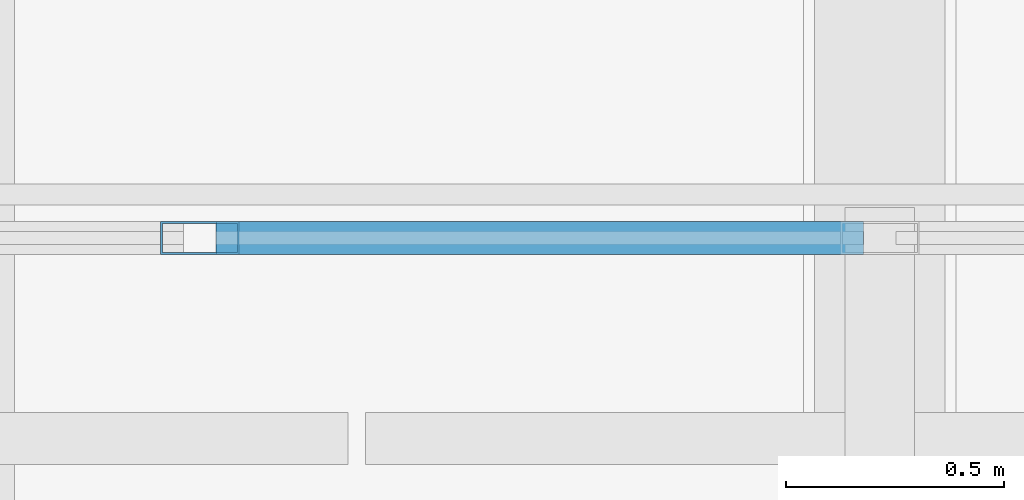
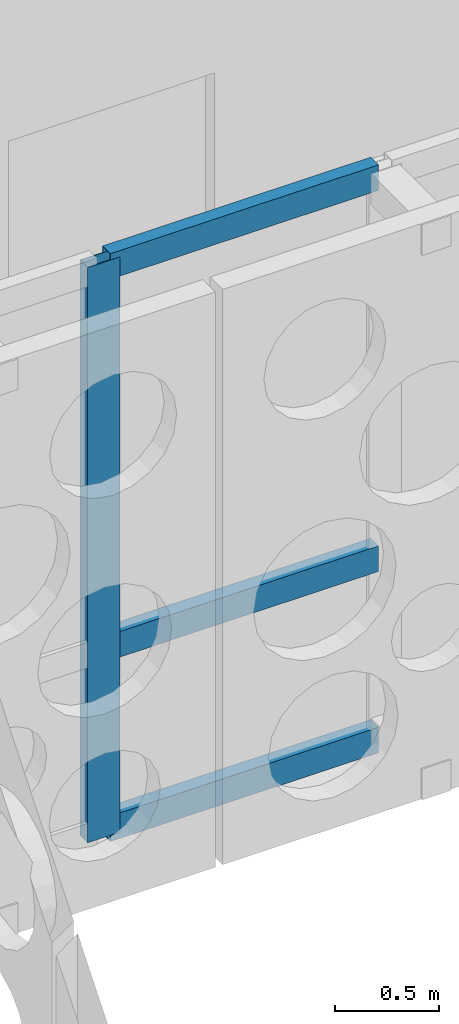
# One storey, part 27 of 171: 4 members, 1 element without a shape of its own.
"""IFC4 building model written with IfcOpenShell, lengths in metres."""

from ifc_helpers import new_model, si_unit, direction, frame, origin, origin_2d, place, context, subcontext, project, spatial, hollow_rectangle, extrude, material, material_profile, profile_set, type_object, element, aggregate, save


model = new_model("IFC4")

# Units and contexts
model_context = context("Model", 3, precision=1e-05, world=origin(), true_north=direction((0.0, 1.0)))
body_context = subcontext(model_context, "Body", "Model", "MODEL_VIEW")
ifc_project = project(units=[si_unit("LENGTHUNIT", "METRE"), si_unit("AREAUNIT", "SQUARE_METRE"), si_unit("VOLUMEUNIT", "CUBIC_METRE"), si_unit("PLANEANGLEUNIT", "RADIAN"), si_unit("MASSUNIT", "GRAM", prefix="KILO")], contexts=[model_context])

# Site, building, storey
site_placement = place(None, origin())
site = spatial("IfcSite", under=ifc_project, at=site_placement, CompositionType="ELEMENT")
building_placement = place(site_placement, origin())
building = spatial("IfcBuilding", under=site, at=building_placement, Name="Aldebral Square Health Centre", CompositionType="ELEMENT")
storey_placement = place(building_placement, frame((0.0, 0.0, 4.5)))
storey = spatial("IfcBuildingStorey", under=building, at=storey_placement, Name="L01", CompositionType="ELEMENT", Elevation=4.5)

# Curtain wall, members
ifc_material_1 = material(Name="Aluminium and low-E solar glass", Category="aluminium")
curtain_wall_type = type_object("IfcCurtainWallType", Name="CW-HALL-SYS", PredefinedType="USERDEFINED", material=ifc_material_1)
curtain_wall_placement = place(storey_placement, origin())
curtain_wall = element("IfcCurtainWall", 1, at=curtain_wall_placement, inside=storey, type_object=curtain_wall_type, Name="L01 V1 hall curtain wall L01-V1-10-13-S", ObjectType="HALL_CURTAIN_WALL", PredefinedType="USERDEFINED")
ifc_material_2 = material(Name="Anodised aluminium mullion", Category="aluminium")
ifc_material_profile_1 = material_profile(ifc_material_2, hollow_rectangle(XDim=0.074951171875, YDim=0.179931640625, WallThickness=0.00390625, at=origin_2d()), Name="CWM 75x180x4")
ifc_profile_set_1 = profile_set([ifc_material_profile_1], Name="Anodised aluminium mullion")
member_type_1 = type_object("IfcMemberType", Name="CWM-STD", PredefinedType="MULLION", material=ifc_profile_set_1)
member_1_placement = place(storey_placement, frame((74.0400390625, 93.60009765625, 0.0), z_axis=(0.0, 0.0, 1.0), x_axis=(0.0, 1.0, 0.0)))
member_1 = element("IfcMember", 2, at=member_1_placement, type_object=member_type_1, Name="CW2 mullion 2", PredefinedType="MULLION", context=body_context, shape_type="SweptSolid", body=[
    extrude(hollow_rectangle(XDim=0.074951171875, YDim=0.179931640625, WallThickness=0.00390625, at=origin_2d()), origin(), (0.0, 0.0, 1.0), 3.3701171875),
])
ifc_material_3 = material(Name="Anodised aluminium transom", Category="aluminium")
ifc_material_profile_2 = material_profile(ifc_material_3, hollow_rectangle(XDim=0.074951171875, YDim=0.14990234375, WallThickness=0.00390625, at=origin_2d()), Name="CWT 75x150x4")
ifc_profile_set_2 = profile_set([ifc_material_profile_2], Name="Anodised aluminium transom")
member_type_2 = type_object("IfcMemberType", Name="CWT-STD", PredefinedType="USERDEFINED", material=ifc_profile_set_2)
member_2_placement = place(storey_placement, frame((74.077392578125, 93.60009765625, 0.03759765625), z_axis=(1.0, 0.0, 0.0), x_axis=(0.0, 1.0, 0.0)))
member_2 = element("IfcMember", 3, at=member_2_placement, type_object=member_type_2, Name="CW2 transom 2.1", ObjectType="TRANSOM", PredefinedType="USERDEFINED", context=body_context, shape_type="SweptSolid", body=[
    extrude(hollow_rectangle(XDim=0.074951171875, YDim=0.14990234375, WallThickness=0.00390625, at=origin_2d()), origin(), (0.0, 0.0, 1.0), 1.485107421875),
])
member_3_placement = place(storey_placement, frame((74.077392578125, 93.60009765625, 1.10009765625), z_axis=(1.0, 0.0, 0.0), x_axis=(0.0, 1.0, 0.0)))
member_3 = element("IfcMember", 4, at=member_3_placement, type_object=member_type_2, Name="CW2 transom 2.2", ObjectType="TRANSOM", PredefinedType="USERDEFINED", context=body_context, shape_type="SweptSolid", body=[
    extrude(hollow_rectangle(XDim=0.074951171875, YDim=0.14990234375, WallThickness=0.00390625, at=origin_2d()), origin(), (0.0, 0.0, 1.0), 1.485107421875),
])
member_4_placement = place(storey_placement, frame((74.077392578125, 93.60009765625, 3.33251953125), z_axis=(1.0, 0.0, 0.0), x_axis=(0.0, 1.0, 0.0)))
member_4 = element("IfcMember", 5, at=member_4_placement, type_object=member_type_2, Name="CW2 transom 2.3", ObjectType="TRANSOM", PredefinedType="USERDEFINED", context=body_context, shape_type="SweptSolid", body=[
    extrude(hollow_rectangle(XDim=0.074951171875, YDim=0.14990234375, WallThickness=0.00390625, at=origin_2d()), origin(), (0.0, 0.0, 1.0), 1.485107421875),
])
aggregate(curtain_wall, [member_1, member_2, member_3, member_4])

save(model, "model.ifc")
